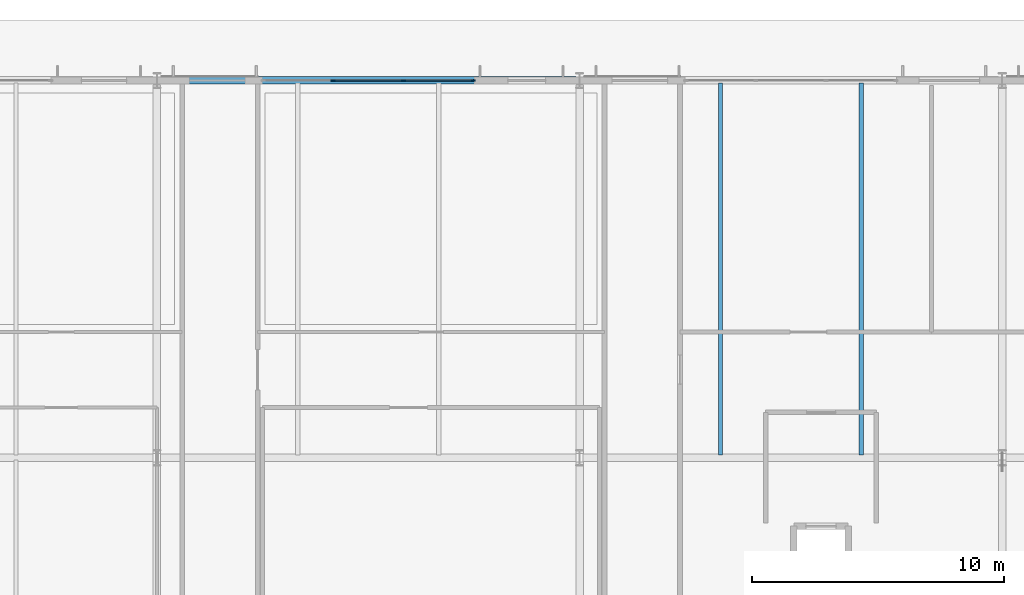
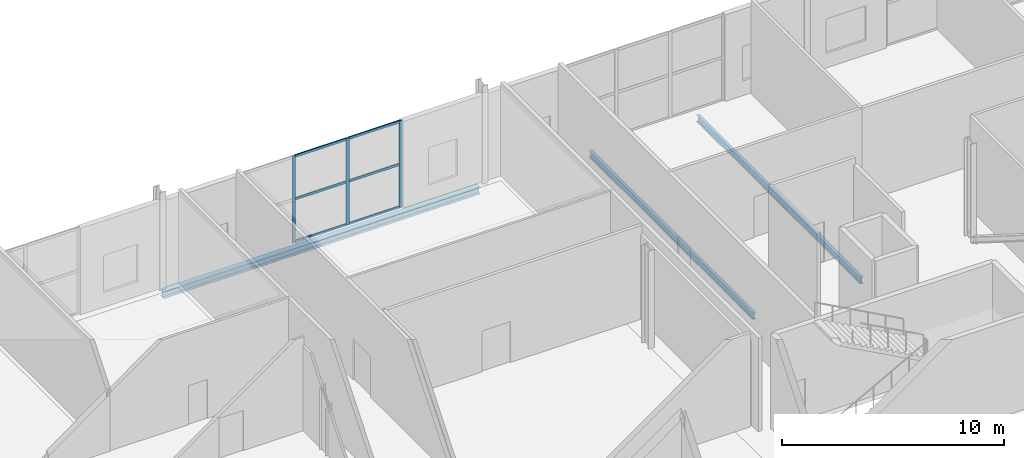
# One storey, part 37 of 87: 9 members, 3 beams, 1 element without a shape of its own.
"""IFC4 building model written with IfcOpenShell, lengths in metres."""

from ifc_helpers import new_model, si_unit, direction, frame, origin, origin_2d, place, context, subcontext, project, spatial, rectangle, i_section, extrude, material, material_profile, profile_set, type_object, element, aggregate, save


model = new_model("IFC4")

# Units and contexts
model_context = context("Model", 3, precision=1e-05, world=origin(), true_north=direction((0.0, 1.0)))
body_context = subcontext(model_context, "Body", "Model", "MODEL_VIEW")
ifc_project = project(units=[si_unit("LENGTHUNIT", "METRE"), si_unit("AREAUNIT", "SQUARE_METRE"), si_unit("VOLUMEUNIT", "CUBIC_METRE"), si_unit("PLANEANGLEUNIT", "RADIAN"), si_unit("MASSUNIT", "GRAM", prefix="KILO")], contexts=[model_context])

# Site, building, storey
site_placement = place(None, origin())
site = spatial("IfcSite", under=ifc_project, at=site_placement, CompositionType="ELEMENT")
building_placement = place(site_placement, origin())
building = spatial("IfcBuilding", under=site, at=building_placement, Name="Kimbaza Rail Terminus", CompositionType="ELEMENT")
storey_placement = place(building_placement, origin())
storey = spatial("IfcBuildingStorey", under=building, at=storey_placement, Name="L00", CompositionType="ELEMENT", Elevation=0.0)

# Curtain wall, members
ifc_material_1 = material(Name="Anodised aluminium framing and solar low-E glazing", Category="aluminium")
curtain_wall_type = type_object("IfcCurtainWallType", Name="ARC-CW-OP1", PredefinedType="USERDEFINED", material=ifc_material_1)
curtain_wall_placement = place(storey_placement, origin())
curtain_wall = element("IfcCurtainWall", 1, at=curtain_wall_placement, inside=storey, type_object=curtain_wall_type, Name="Operations North Curtain Wall L00 Bay 4", ObjectType="UNITISED CURTAIN WALL", PredefinedType="USERDEFINED")
ifc_material_2 = material(Name="Anodised architectural aluminium", Category="aluminium")
ifc_material_profile_1 = material_profile(ifc_material_2, rectangle(XDim=0.06201171875, YDim=0.1650390625, at=origin_2d()), Name="MULLION 62x165")
ifc_profile_set_1 = profile_set([ifc_material_profile_1], Name="Anodised architectural aluminium")
member_type_1 = type_object("IfcMemberType", Name="ARC-CWM-05", PredefinedType="MULLION", material=ifc_profile_set_1)
member_1_placement = place(storey_placement, frame((112.60009765625, 133.0, 0.0), z_axis=(0.0, 0.0, 1.0), x_axis=(0.0, 1.0, 0.0)))
member_1 = element("IfcMember", 2, at=member_1_placement, type_object=member_type_1, Name="CW-05 mullion 2", PredefinedType="MULLION", context=body_context, shape_type="SweptSolid", body=[
    extrude(rectangle(XDim=0.06201171875, YDim=0.1650390625, at=origin_2d()), origin(), (0.0, 0.0, 1.0), 4.764892578125),
])
member_2_placement = place(storey_placement, frame((115.39990234375, 133.0, 0.0), z_axis=(0.0, 0.0, 1.0), x_axis=(0.0, 1.0, 0.0)))
member_2 = element("IfcMember", 3, at=member_2_placement, type_object=member_type_1, Name="CW-05 mullion 3", PredefinedType="MULLION", context=body_context, shape_type="SweptSolid", body=[
    extrude(rectangle(XDim=0.06201171875, YDim=0.1650390625, at=origin_2d()), origin(), (0.0, 0.0, 1.0), 4.764892578125),
])
member_3_placement = place(storey_placement, frame((118.1689453125, 133.0, 0.0), z_axis=(0.0, 0.0, 1.0), x_axis=(0.0, 1.0, 0.0)))
member_3 = element("IfcMember", 4, at=member_3_placement, type_object=member_type_1, Name="CW-05 mullion 4", PredefinedType="MULLION", context=body_context, shape_type="SweptSolid", body=[
    extrude(rectangle(XDim=0.06201171875, YDim=0.1650390625, at=origin_2d()), origin(), (0.0, 0.0, 1.0), 4.764892578125),
])
ifc_material_3 = material(Name="Anodised architectural aluminium", Category="aluminium")
ifc_material_profile_2 = material_profile(ifc_material_3, rectangle(XDim=0.06201171875, YDim=0.135009765625, at=origin_2d()), Name="TRANSOM 62x135")
ifc_profile_set_2 = profile_set([ifc_material_profile_2], Name="Anodised architectural aluminium")
member_type_2 = type_object("IfcMemberType", Name="ARC-CWT-05", PredefinedType="USERDEFINED", material=ifc_profile_set_2)
member_4_placement = place(storey_placement, frame((112.631103515625, 133.0, 0.031005859375), z_axis=(1.0, 0.0, 0.0), x_axis=(0.0, 1.0, 0.0)))
member_4 = element("IfcMember", 5, at=member_4_placement, type_object=member_type_2, Name="CW-05 transom 2.1", ObjectType="TRANSOM", PredefinedType="USERDEFINED", context=body_context, shape_type="SweptSolid", body=[
    extrude(rectangle(XDim=0.06201171875, YDim=0.135009765625, at=origin_2d()), origin(), (0.0, 0.0, 1.0), 2.73779296875),
])
member_5_placement = place(storey_placement, frame((112.631103515625, 133.0, 2.382568359375), z_axis=(1.0, 0.0, 0.0), x_axis=(0.0, 1.0, 0.0)))
member_5 = element("IfcMember", 6, at=member_5_placement, type_object=member_type_2, Name="CW-05 transom 2.2", ObjectType="TRANSOM", PredefinedType="USERDEFINED", context=body_context, shape_type="SweptSolid", body=[
    extrude(rectangle(XDim=0.06201171875, YDim=0.135009765625, at=origin_2d()), origin(), (0.0, 0.0, 1.0), 2.73779296875),
])
member_6_placement = place(storey_placement, frame((112.631103515625, 133.0, 4.73388671875), z_axis=(1.0, 0.0, 0.0), x_axis=(0.0, 1.0, 0.0)))
member_6 = element("IfcMember", 7, at=member_6_placement, type_object=member_type_2, Name="CW-05 transom 2.3", ObjectType="TRANSOM", PredefinedType="USERDEFINED", context=body_context, shape_type="SweptSolid", body=[
    extrude(rectangle(XDim=0.06201171875, YDim=0.135009765625, at=origin_2d()), origin(), (0.0, 0.0, 1.0), 2.73779296875),
])
member_7_placement = place(storey_placement, frame((115.430908203125, 133.0, 0.031005859375), z_axis=(1.0, 0.0, 0.0), x_axis=(0.0, 1.0, 0.0)))
member_7 = element("IfcMember", 8, at=member_7_placement, type_object=member_type_2, Name="CW-05 transom 3.1", ObjectType="TRANSOM", PredefinedType="USERDEFINED", context=body_context, shape_type="SweptSolid", body=[
    extrude(rectangle(XDim=0.06201171875, YDim=0.135009765625, at=origin_2d()), origin(), (0.0, 0.0, 1.0), 2.70703125),
])
member_8_placement = place(storey_placement, frame((115.430908203125, 133.0, 2.382568359375), z_axis=(1.0, 0.0, 0.0), x_axis=(0.0, 1.0, 0.0)))
member_8 = element("IfcMember", 9, at=member_8_placement, type_object=member_type_2, Name="CW-05 transom 3.2", ObjectType="TRANSOM", PredefinedType="USERDEFINED", context=body_context, shape_type="SweptSolid", body=[
    extrude(rectangle(XDim=0.06201171875, YDim=0.135009765625, at=origin_2d()), origin(), (0.0, 0.0, 1.0), 2.70703125),
])
member_9_placement = place(storey_placement, frame((115.430908203125, 133.0, 4.73388671875), z_axis=(1.0, 0.0, 0.0), x_axis=(0.0, 1.0, 0.0)))
member_9 = element("IfcMember", 10, at=member_9_placement, type_object=member_type_2, Name="CW-05 transom 3.3", ObjectType="TRANSOM", PredefinedType="USERDEFINED", context=body_context, shape_type="SweptSolid", body=[
    extrude(rectangle(XDim=0.06201171875, YDim=0.135009765625, at=origin_2d()), origin(), (0.0, 0.0, 1.0), 2.70703125),
])
aggregate(curtain_wall, [member_1, member_2, member_3, member_4, member_5, member_6, member_7, member_8, member_9])

# Beams
ifc_material_4 = material(Name="Steel S355", Category="steel")
ifc_material_profile_3 = material_profile(ifc_material_4, i_section(OverallWidth=0.300048828125, OverallDepth=0.389892578125, WebThickness=0.010986328125, FlangeThickness=0.01904296875, FilletRadius=0.027099609375, at=origin_2d()), Name="HEA 400")
ifc_profile_set_3 = profile_set([ifc_material_profile_3], Name="Steel S355")
beam_type_1 = type_object("IfcBeamType", Name="STR-BM-HEA400", PredefinedType="SPANDREL", material=ifc_profile_set_3)
beam_placement = place(storey_placement, frame((105.74609375, 133.0, -0.43505859375), z_axis=(1.0, 0.0, 0.0), x_axis=(0.0, 1.0, 0.0)))
element("IfcBeam", 11, at=beam_placement, inside=storey, type_object=beam_type_1, Name="Operations Girder L00 X3-Y2", PredefinedType="SPANDREL", context=body_context, shape_type="SweptSolid", body=[
    extrude(i_section(OverallWidth=0.300048828125, OverallDepth=0.389892578125, WebThickness=0.010986328125, FlangeThickness=0.01904296875, FilletRadius=0.027099609375, at=origin_2d()), origin(), (0.0, 0.0, 1.0), 16.5078125),
])
ifc_material_5 = material(Name="Steel S355", Category="steel")
ifc_material_profile_4 = material_profile(ifc_material_5, i_section(OverallWidth=0.169921875, OverallDepth=0.360107421875, WebThickness=0.008056640625, FlangeThickness=0.0126953125, FilletRadius=0.01806640625, at=origin_2d()), Name="IPE 360")
ifc_profile_set_4 = profile_set([ifc_material_profile_4], Name="Steel S355")
beam_type_2 = type_object("IfcBeamType", Name="STR-BM-IPE360", PredefinedType="JOIST", material=ifc_profile_set_4)
for number, where, z_axis, x_axis, name in (
    (12, (128.0, 118.10009765625, -0.419921875), (0.0, 1.0, 0.0), (-1.0, 0.0, 0.0), "Operations Secondary Joist L00"),
    (13, (133.60009765625, 118.10009765625, -0.419921875), (0.0, 1.0, 0.0), (-1.0, 0.0, 0.0), "Operations Secondary Joist L00"),
):
    element("IfcBeam", number, at=place(storey_placement, frame(where, z_axis=z_axis, x_axis=x_axis)), inside=storey, type_object=beam_type_2, Name=name, PredefinedType="JOIST", context=body_context, shape_type="SweptSolid", body=[
        extrude(i_section(OverallWidth=0.169921875, OverallDepth=0.360107421875, WebThickness=0.008056640625, FlangeThickness=0.0126953125, FilletRadius=0.01806640625, at=origin_2d()), origin(), (0.0, 0.0, 1.0), 14.7998046875),
    ])

save(model, "model.ifc")
